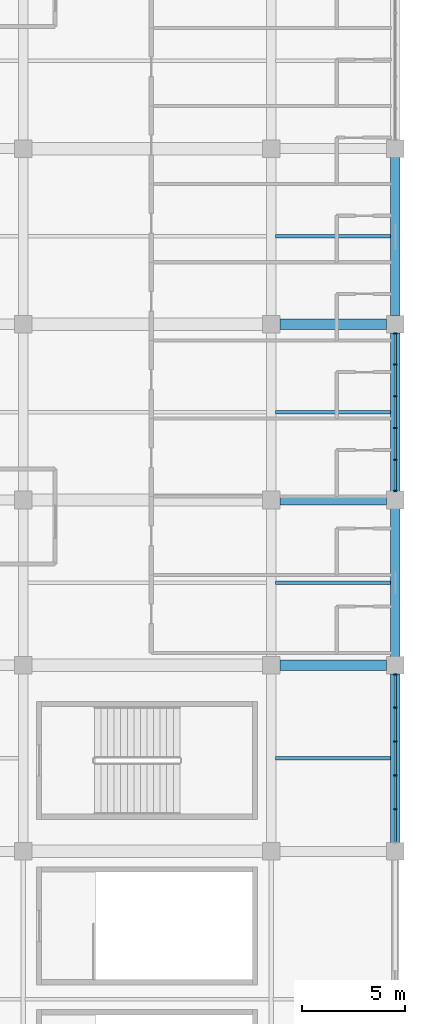
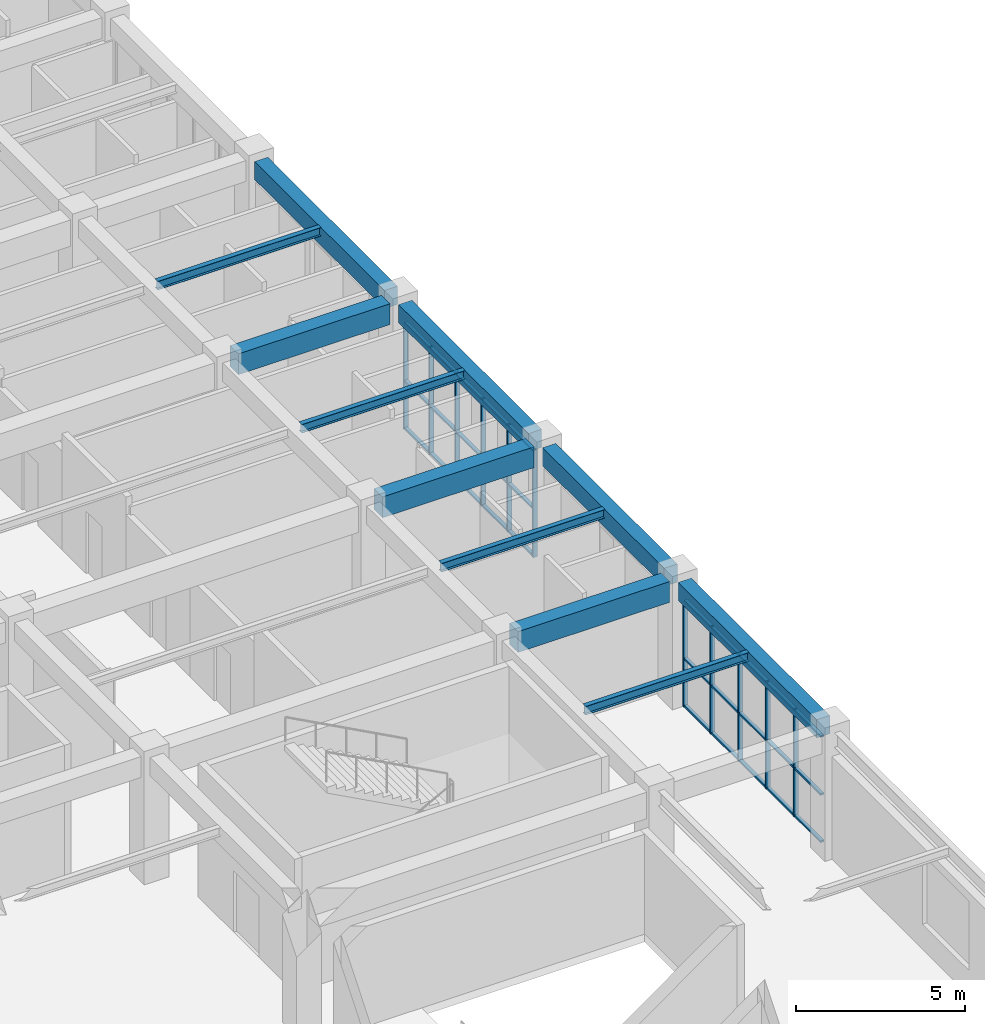
# One storey, part 67 of 122: 41 members, 11 beams, 2 elements without a shape of their own.
"""IFC4 building model written with IfcOpenShell, lengths in metres."""

from ifc_helpers import new_model, si_unit, direction, frame, origin, origin_2d, place, context, subcontext, project, spatial, rectangle, i_section, extrude, material, material_profile, profile_set, type_object, element, aggregate, save


model = new_model("IFC4")

# Units and contexts
model_context = context("Model", 3, precision=1e-05, world=origin(), true_north=direction((0.0, 1.0)))
body_context = subcontext(model_context, "Body", "Model", "MODEL_VIEW")
ifc_project = project(units=[si_unit("LENGTHUNIT", "METRE"), si_unit("AREAUNIT", "SQUARE_METRE"), si_unit("VOLUMEUNIT", "CUBIC_METRE"), si_unit("PLANEANGLEUNIT", "RADIAN"), si_unit("MASSUNIT", "GRAM", prefix="KILO")], contexts=[model_context])

# Site, building, storey
site_placement = place(None, origin())
site = spatial("IfcSite", under=ifc_project, at=site_placement, CompositionType="ELEMENT")
building_placement = place(site_placement, origin())
building = spatial("IfcBuilding", under=site, at=building_placement, Name="Cuetzalor Civic Arena", CompositionType="ELEMENT")
storey_placement = place(building_placement, frame((0.0, 0.0, 16.199951171875)))
storey = spatial("IfcBuildingStorey", under=building, at=storey_placement, Name="L03", CompositionType="ELEMENT", Elevation=16.199951171875)

# Beams
ifc_material_1 = material(Name="Concrete C40/50", Category="concrete")
ifc_material_profile_1 = material_profile(ifc_material_1, rectangle(XDim=0.5, YDim=0.75, at=origin_2d()), Name="RC 500x750")
ifc_profile_set_1 = profile_set([ifc_material_profile_1], Name="Concrete C40/50")
beam_type_1 = type_object("IfcBeamType", Name="ConcreteFrameBeam_500x750", PredefinedType="BEAM", material=ifc_profile_set_1)
for number, where, z_axis, x_axis, name in (
    (1, (76.4150390625, -25.0, 4.14501953125), (1.0, 0.0, 0.0), (0.0, 1.0, 0.0), "Frame Girder V4E-L03-X0967"),
    (2, (76.4150390625, -17.0, 4.14501953125), (1.0, 0.0, 0.0), (0.0, 1.0, 0.0), "Frame Girder V4E-L03-X0970"),
    (3, (76.4150390625, -8.5, 4.14501953125), (1.0, 0.0, 0.0), (0.0, 1.0, 0.0), "Frame Girder V4E-L03-X0973"),
):
    element("IfcBeam", number, at=place(storey_placement, frame(where, z_axis=z_axis, x_axis=x_axis)), inside=storey, type_object=beam_type_1, Name=name, PredefinedType="BEAM", context=body_context, shape_type="SweptSolid", body=[
        extrude(rectangle(XDim=0.5, YDim=0.75, at=origin_2d()), origin(), (0.0, 0.0, 1.0), 5.169921875),
    ])
ifc_material_2 = material(Name="Concrete C40/50", Category="concrete")
ifc_material_profile_2 = material_profile(ifc_material_2, rectangle(XDim=0.449951171875, YDim=0.64990234375, at=origin_2d()), Name="RC 450x650")
ifc_profile_set_2 = profile_set([ifc_material_profile_2], Name="Concrete C40/50")
beam_type_2 = type_object("IfcBeamType", Name="ConcreteTieBeam_450x650", PredefinedType="BEAM", material=ifc_profile_set_2)
beam_1_placement = place(storey_placement, frame((82.0, -33.5849609375, 4.195068359375), z_axis=(0.0, 1.0, 0.0), x_axis=(-1.0, 0.0, 0.0)))
element("IfcBeam", 4, at=beam_1_placement, inside=storey, type_object=beam_type_2, Name="Frame Girder V4E-L03-Y1021", PredefinedType="BEAM", context=body_context, shape_type="SweptSolid", body=[
    extrude(rectangle(XDim=0.449951171875, YDim=0.64990234375, at=origin_2d()), origin(), (0.0, 0.0, 1.0), 8.169921875),
])
beam_2_placement = place(storey_placement, frame((82.0, -24.5849609375, 4.195068359375), z_axis=(0.0, 1.0, 0.0), x_axis=(-1.0, 0.0, 0.0)))
element("IfcBeam", 5, at=beam_2_placement, inside=storey, type_object=beam_type_2, Name="Frame Girder V4E-L03-Y1022", PredefinedType="BEAM", context=body_context, shape_type="SweptSolid", body=[
    extrude(rectangle(XDim=0.449951171875, YDim=0.64990234375, at=origin_2d()), origin(), (0.0, 0.0, 1.0), 7.169921875),
])
for number, where, z_axis, x_axis, name in (
    (6, (82.0, -16.5849609375, 4.195068359375), (0.0, 1.0, 0.0), (-1.0, 0.0, 0.0), "Frame Girder V4E-L03-Y1023"),
    (7, (82.0, -8.0849609375, 4.195068359375), (0.0, 1.0, 0.0), (-1.0, 0.0, 0.0), "Frame Girder V4E-L03-Y1024"),
):
    element("IfcBeam", number, at=place(storey_placement, frame(where, z_axis=z_axis, x_axis=x_axis)), inside=storey, type_object=beam_type_2, Name=name, PredefinedType="BEAM", context=body_context, shape_type="SweptSolid", body=[
        extrude(rectangle(XDim=0.449951171875, YDim=0.64990234375, at=origin_2d()), origin(), (0.0, 0.0, 1.0), 7.669921875),
    ])

# Curtain wall, members
ifc_material_3 = material(Name="Anodised dark bronze aluminium and low-E solar glass", Category="aluminium")
curtain_wall_type_1 = type_object("IfcCurtainWallType", Name="UnitisedCW_8200x3850", PredefinedType="USERDEFINED", material=ifc_material_3)
curtain_wall_1_placement = place(storey_placement, origin())
curtain_wall_1 = element("IfcCurtainWall", 8, at=curtain_wall_1_placement, inside=storey, type_object=curtain_wall_type_1, Name="V4E Suite Viewing Curtain Wall L03-146", ObjectType="UNITISED CURTAIN WALL", PredefinedType="USERDEFINED")
ifc_material_4 = material(Name="Anodised dark bronze aluminium", Category="aluminium")
ifc_material_profile_3 = material_profile(ifc_material_4, rectangle(XDim=0.06494140625, YDim=0.14990234375, at=origin_2d()), Name="ALU MULLION 65x150")
ifc_profile_set_3 = profile_set([ifc_material_profile_3], Name="Anodised dark bronze aluminium")
member_type_1 = type_object("IfcMemberType", Name="CurtainWallMullion_60x150", PredefinedType="MULLION", material=ifc_profile_set_3)
member_1_placement = place(storey_placement, frame((82.0, -25.439453125, 0.0), z_axis=(0.0, 0.0, 1.0), x_axis=(0.0, -1.0, 0.0)))
member_1 = element("IfcMember", 9, at=member_1_placement, type_object=member_type_1, Name="CW-45 mullion 1", PredefinedType="MULLION", context=body_context, shape_type="SweptSolid", body=[
    extrude(rectangle(XDim=0.06494140625, YDim=0.14990234375, at=origin_2d()), origin(), (0.0, 0.0, 1.0), 3.860107421875),
])
member_2_placement = place(storey_placement, frame((82.0, -27.044189453125, 0.0), z_axis=(0.0, 0.0, 1.0), x_axis=(0.0, -1.0, 0.0)))
member_2 = element("IfcMember", 10, at=member_2_placement, type_object=member_type_1, Name="CW-45 mullion 2", PredefinedType="MULLION", context=body_context, shape_type="SweptSolid", body=[
    extrude(rectangle(XDim=0.06494140625, YDim=0.14990234375, at=origin_2d()), origin(), (0.0, 0.0, 1.0), 3.860107421875),
])
member_3_placement = place(storey_placement, frame((82.0, -28.681396484375, 0.0), z_axis=(0.0, 0.0, 1.0), x_axis=(0.0, -1.0, 0.0)))
member_3 = element("IfcMember", 11, at=member_3_placement, type_object=member_type_1, Name="CW-45 mullion 3", PredefinedType="MULLION", context=body_context, shape_type="SweptSolid", body=[
    extrude(rectangle(XDim=0.06494140625, YDim=0.14990234375, at=origin_2d()), origin(), (0.0, 0.0, 1.0), 3.860107421875),
])
member_4_placement = place(storey_placement, frame((82.0, -30.318603515625, 0.0), z_axis=(0.0, 0.0, 1.0), x_axis=(0.0, -1.0, 0.0)))
member_4 = element("IfcMember", 12, at=member_4_placement, type_object=member_type_1, Name="CW-45 mullion 4", PredefinedType="MULLION", context=body_context, shape_type="SweptSolid", body=[
    extrude(rectangle(XDim=0.06494140625, YDim=0.14990234375, at=origin_2d()), origin(), (0.0, 0.0, 1.0), 3.860107421875),
])
member_5_placement = place(storey_placement, frame((82.0, -31.955810546875, 0.0), z_axis=(0.0, 0.0, 1.0), x_axis=(0.0, -1.0, 0.0)))
member_5 = element("IfcMember", 13, at=member_5_placement, type_object=member_type_1, Name="CW-45 mullion 5", PredefinedType="MULLION", context=body_context, shape_type="SweptSolid", body=[
    extrude(rectangle(XDim=0.06494140625, YDim=0.14990234375, at=origin_2d()), origin(), (0.0, 0.0, 1.0), 3.860107421875),
])

ifc_material_5 = material(Name="Anodised dark bronze aluminium and low-E solar glass", Category="aluminium")
curtain_wall_type_2 = type_object("IfcCurtainWallType", Name="UnitisedCW_7700x3850", PredefinedType="USERDEFINED", material=ifc_material_5)
curtain_wall_2_placement = place(storey_placement, origin())
curtain_wall_2 = element("IfcCurtainWall", 14, at=curtain_wall_2_placement, inside=storey, type_object=curtain_wall_type_2, Name="V4E Suite Viewing Curtain Wall L03-147", ObjectType="UNITISED CURTAIN WALL", PredefinedType="USERDEFINED")
member_6_placement = place(storey_placement, frame((82.0, -8.939453125, 0.0), z_axis=(0.0, 0.0, 1.0), x_axis=(0.0, -1.0, 0.0)))
member_6 = element("IfcMember", 15, at=member_6_placement, type_object=member_type_1, Name="CW-42 mullion 1", PredefinedType="MULLION", context=body_context, shape_type="SweptSolid", body=[
    extrude(rectangle(XDim=0.06494140625, YDim=0.14990234375, at=origin_2d()), origin(), (0.0, 0.0, 1.0), 3.860107421875),
])
member_7_placement = place(storey_placement, frame((82.0, -10.444091796875, 0.0), z_axis=(0.0, 0.0, 1.0), x_axis=(0.0, -1.0, 0.0)))
member_7 = element("IfcMember", 16, at=member_7_placement, type_object=member_type_1, Name="CW-42 mullion 2", PredefinedType="MULLION", context=body_context, shape_type="SweptSolid", body=[
    extrude(rectangle(XDim=0.06494140625, YDim=0.14990234375, at=origin_2d()), origin(), (0.0, 0.0, 1.0), 3.860107421875),
])
member_8_placement = place(storey_placement, frame((82.0, -11.9814453125, 0.0), z_axis=(0.0, 0.0, 1.0), x_axis=(0.0, -1.0, 0.0)))
member_8 = element("IfcMember", 17, at=member_8_placement, type_object=member_type_1, Name="CW-42 mullion 3", PredefinedType="MULLION", context=body_context, shape_type="SweptSolid", body=[
    extrude(rectangle(XDim=0.06494140625, YDim=0.14990234375, at=origin_2d()), origin(), (0.0, 0.0, 1.0), 3.860107421875),
])
member_9_placement = place(storey_placement, frame((82.0, -13.5185546875, 0.0), z_axis=(0.0, 0.0, 1.0), x_axis=(0.0, -1.0, 0.0)))
member_9 = element("IfcMember", 18, at=member_9_placement, type_object=member_type_1, Name="CW-42 mullion 4", PredefinedType="MULLION", context=body_context, shape_type="SweptSolid", body=[
    extrude(rectangle(XDim=0.06494140625, YDim=0.14990234375, at=origin_2d()), origin(), (0.0, 0.0, 1.0), 3.860107421875),
])
member_10_placement = place(storey_placement, frame((82.0, -15.055908203125, 0.0), z_axis=(0.0, 0.0, 1.0), x_axis=(0.0, -1.0, 0.0)))
member_10 = element("IfcMember", 19, at=member_10_placement, type_object=member_type_1, Name="CW-42 mullion 5", PredefinedType="MULLION", context=body_context, shape_type="SweptSolid", body=[
    extrude(rectangle(XDim=0.06494140625, YDim=0.14990234375, at=origin_2d()), origin(), (0.0, 0.0, 1.0), 3.860107421875),
])
member_11_placement = place(storey_placement, frame((82.0, -16.560546875, 0.0), z_axis=(0.0, 0.0, 1.0), x_axis=(0.0, -1.0, 0.0)))
member_11 = element("IfcMember", 20, at=member_11_placement, type_object=member_type_1, Name="CW-42 mullion 6", PredefinedType="MULLION", context=body_context, shape_type="SweptSolid", body=[
    extrude(rectangle(XDim=0.06494140625, YDim=0.14990234375, at=origin_2d()), origin(), (0.0, 0.0, 1.0), 3.860107421875),
])

# Member
ifc_material_6 = material(Name="Anodised dark bronze aluminium", Category="aluminium")
ifc_material_profile_4 = material_profile(ifc_material_6, rectangle(XDim=0.1201171875, YDim=0.06494140625, at=origin_2d()), Name="ALU TRANSOM 65x120")
ifc_profile_set_4 = profile_set([ifc_material_profile_4], Name="Anodised dark bronze aluminium")
member_type_2 = type_object("IfcMemberType", Name="CurtainWallTransom_60x120", PredefinedType="USERDEFINED", material=ifc_profile_set_4)
member_12_placement = place(storey_placement, frame((82.0, -25.471923828125, 0.032470703125), z_axis=(0.0, -1.0, 0.0), x_axis=(1.0, 0.0, 0.0)))
member_12 = element("IfcMember", 21, at=member_12_placement, type_object=member_type_2, Name="CW-45 transom 1.1", ObjectType="TRANSOM", PredefinedType="USERDEFINED", context=body_context, shape_type="SweptSolid", body=[
    extrude(rectangle(XDim=0.1201171875, YDim=0.06494140625, at=origin_2d()), origin(), (0.0, 0.0, 1.0), 1.539794921875),
])

member_13_placement = place(storey_placement, frame((82.0, -25.471923828125, 1.737060546875), z_axis=(0.0, -1.0, 0.0), x_axis=(1.0, 0.0, 0.0)))
member_13 = element("IfcMember", 22, at=member_13_placement, type_object=member_type_2, Name="CW-45 transom 1.2", ObjectType="TRANSOM", PredefinedType="USERDEFINED", context=body_context, shape_type="SweptSolid", body=[
    extrude(rectangle(XDim=0.1201171875, YDim=0.06494140625, at=origin_2d()), origin(), (0.0, 0.0, 1.0), 1.539794921875),
])

member_14_placement = place(storey_placement, frame((82.0, -25.471923828125, 3.82763671875), z_axis=(0.0, -1.0, 0.0), x_axis=(1.0, 0.0, 0.0)))
member_14 = element("IfcMember", 23, at=member_14_placement, type_object=member_type_2, Name="CW-45 transom 1.3", ObjectType="TRANSOM", PredefinedType="USERDEFINED", context=body_context, shape_type="SweptSolid", body=[
    extrude(rectangle(XDim=0.1201171875, YDim=0.06494140625, at=origin_2d()), origin(), (0.0, 0.0, 1.0), 1.539794921875),
])

member_15_placement = place(storey_placement, frame((82.0, -27.07666015625, 0.032470703125), z_axis=(0.0, -1.0, 0.0), x_axis=(1.0, 0.0, 0.0)))
member_15 = element("IfcMember", 24, at=member_15_placement, type_object=member_type_2, Name="CW-45 transom 2.1", ObjectType="TRANSOM", PredefinedType="USERDEFINED", context=body_context, shape_type="SweptSolid", body=[
    extrude(rectangle(XDim=0.1201171875, YDim=0.06494140625, at=origin_2d()), origin(), (0.0, 0.0, 1.0), 1.572265625),
])

member_16_placement = place(storey_placement, frame((82.0, -27.07666015625, 1.737060546875), z_axis=(0.0, -1.0, 0.0), x_axis=(1.0, 0.0, 0.0)))
member_16 = element("IfcMember", 25, at=member_16_placement, type_object=member_type_2, Name="CW-45 transom 2.2", ObjectType="TRANSOM", PredefinedType="USERDEFINED", context=body_context, shape_type="SweptSolid", body=[
    extrude(rectangle(XDim=0.1201171875, YDim=0.06494140625, at=origin_2d()), origin(), (0.0, 0.0, 1.0), 1.572265625),
])

member_17_placement = place(storey_placement, frame((82.0, -27.07666015625, 3.82763671875), z_axis=(0.0, -1.0, 0.0), x_axis=(1.0, 0.0, 0.0)))
member_17 = element("IfcMember", 26, at=member_17_placement, type_object=member_type_2, Name="CW-45 transom 2.3", ObjectType="TRANSOM", PredefinedType="USERDEFINED", context=body_context, shape_type="SweptSolid", body=[
    extrude(rectangle(XDim=0.1201171875, YDim=0.06494140625, at=origin_2d()), origin(), (0.0, 0.0, 1.0), 1.572265625),
])

member_18_placement = place(storey_placement, frame((82.0, -28.7138671875, 0.032470703125), z_axis=(0.0, -1.0, 0.0), x_axis=(1.0, 0.0, 0.0)))
member_18 = element("IfcMember", 27, at=member_18_placement, type_object=member_type_2, Name="CW-45 transom 3.1", ObjectType="TRANSOM", PredefinedType="USERDEFINED", context=body_context, shape_type="SweptSolid", body=[
    extrude(rectangle(XDim=0.1201171875, YDim=0.06494140625, at=origin_2d()), origin(), (0.0, 0.0, 1.0), 1.572265625),
])

member_19_placement = place(storey_placement, frame((82.0, -28.7138671875, 1.737060546875), z_axis=(0.0, -1.0, 0.0), x_axis=(1.0, 0.0, 0.0)))
member_19 = element("IfcMember", 28, at=member_19_placement, type_object=member_type_2, Name="CW-45 transom 3.2", ObjectType="TRANSOM", PredefinedType="USERDEFINED", context=body_context, shape_type="SweptSolid", body=[
    extrude(rectangle(XDim=0.1201171875, YDim=0.06494140625, at=origin_2d()), origin(), (0.0, 0.0, 1.0), 1.572265625),
])

member_20_placement = place(storey_placement, frame((82.0, -28.7138671875, 3.82763671875), z_axis=(0.0, -1.0, 0.0), x_axis=(1.0, 0.0, 0.0)))
member_20 = element("IfcMember", 29, at=member_20_placement, type_object=member_type_2, Name="CW-45 transom 3.3", ObjectType="TRANSOM", PredefinedType="USERDEFINED", context=body_context, shape_type="SweptSolid", body=[
    extrude(rectangle(XDim=0.1201171875, YDim=0.06494140625, at=origin_2d()), origin(), (0.0, 0.0, 1.0), 1.572265625),
])

member_21_placement = place(storey_placement, frame((82.0, -30.35107421875, 0.032470703125), z_axis=(0.0, -1.0, 0.0), x_axis=(1.0, 0.0, 0.0)))
member_21 = element("IfcMember", 30, at=member_21_placement, type_object=member_type_2, Name="CW-45 transom 4.1", ObjectType="TRANSOM", PredefinedType="USERDEFINED", context=body_context, shape_type="SweptSolid", body=[
    extrude(rectangle(XDim=0.1201171875, YDim=0.06494140625, at=origin_2d()), origin(), (0.0, 0.0, 1.0), 1.572265625),
])

member_22_placement = place(storey_placement, frame((82.0, -30.35107421875, 1.737060546875), z_axis=(0.0, -1.0, 0.0), x_axis=(1.0, 0.0, 0.0)))
member_22 = element("IfcMember", 31, at=member_22_placement, type_object=member_type_2, Name="CW-45 transom 4.2", ObjectType="TRANSOM", PredefinedType="USERDEFINED", context=body_context, shape_type="SweptSolid", body=[
    extrude(rectangle(XDim=0.1201171875, YDim=0.06494140625, at=origin_2d()), origin(), (0.0, 0.0, 1.0), 1.572265625),
])

member_23_placement = place(storey_placement, frame((82.0, -30.35107421875, 3.82763671875), z_axis=(0.0, -1.0, 0.0), x_axis=(1.0, 0.0, 0.0)))
member_23 = element("IfcMember", 32, at=member_23_placement, type_object=member_type_2, Name="CW-45 transom 4.3", ObjectType="TRANSOM", PredefinedType="USERDEFINED", context=body_context, shape_type="SweptSolid", body=[
    extrude(rectangle(XDim=0.1201171875, YDim=0.06494140625, at=origin_2d()), origin(), (0.0, 0.0, 1.0), 1.572265625),
])

member_24_placement = place(storey_placement, frame((82.0, -31.98828125, 0.032470703125), z_axis=(0.0, -1.0, 0.0), x_axis=(1.0, 0.0, 0.0)))
member_24 = element("IfcMember", 33, at=member_24_placement, type_object=member_type_2, Name="CW-45 transom 5.1", ObjectType="TRANSOM", PredefinedType="USERDEFINED", context=body_context, shape_type="SweptSolid", body=[
    extrude(rectangle(XDim=0.1201171875, YDim=0.06494140625, at=origin_2d()), origin(), (0.0, 0.0, 1.0), 1.539794921875),
])

member_25_placement = place(storey_placement, frame((82.0, -31.98828125, 1.737060546875), z_axis=(0.0, -1.0, 0.0), x_axis=(1.0, 0.0, 0.0)))
member_25 = element("IfcMember", 34, at=member_25_placement, type_object=member_type_2, Name="CW-45 transom 5.2", ObjectType="TRANSOM", PredefinedType="USERDEFINED", context=body_context, shape_type="SweptSolid", body=[
    extrude(rectangle(XDim=0.1201171875, YDim=0.06494140625, at=origin_2d()), origin(), (0.0, 0.0, 1.0), 1.539794921875),
])

member_26_placement = place(storey_placement, frame((82.0, -31.98828125, 3.82763671875), z_axis=(0.0, -1.0, 0.0), x_axis=(1.0, 0.0, 0.0)))
member_26 = element("IfcMember", 35, at=member_26_placement, type_object=member_type_2, Name="CW-45 transom 5.3", ObjectType="TRANSOM", PredefinedType="USERDEFINED", context=body_context, shape_type="SweptSolid", body=[
    extrude(rectangle(XDim=0.1201171875, YDim=0.06494140625, at=origin_2d()), origin(), (0.0, 0.0, 1.0), 1.539794921875),
])

aggregate(curtain_wall_1, [member_1, member_2, member_3, member_4, member_5, member_12, member_13, member_14, member_15, member_16, member_17, member_18, member_19, member_20, member_21, member_22, member_23, member_24, member_25, member_26])

member_27_placement = place(storey_placement, frame((82.0, -8.971923828125, 0.032470703125), z_axis=(0.0, -1.0, 0.0), x_axis=(1.0, 0.0, 0.0)))
member_27 = element("IfcMember", 36, at=member_27_placement, type_object=member_type_2, Name="CW-42 transom 1.1", ObjectType="TRANSOM", PredefinedType="USERDEFINED", context=body_context, shape_type="SweptSolid", body=[
    extrude(rectangle(XDim=0.1201171875, YDim=0.06494140625, at=origin_2d()), origin(), (0.0, 0.0, 1.0), 1.439697265625),
])

member_28_placement = place(storey_placement, frame((82.0, -8.971923828125, 1.737060546875), z_axis=(0.0, -1.0, 0.0), x_axis=(1.0, 0.0, 0.0)))
member_28 = element("IfcMember", 37, at=member_28_placement, type_object=member_type_2, Name="CW-42 transom 1.2", ObjectType="TRANSOM", PredefinedType="USERDEFINED", context=body_context, shape_type="SweptSolid", body=[
    extrude(rectangle(XDim=0.1201171875, YDim=0.06494140625, at=origin_2d()), origin(), (0.0, 0.0, 1.0), 1.439697265625),
])

member_29_placement = place(storey_placement, frame((82.0, -8.971923828125, 3.82763671875), z_axis=(0.0, -1.0, 0.0), x_axis=(1.0, 0.0, 0.0)))
member_29 = element("IfcMember", 38, at=member_29_placement, type_object=member_type_2, Name="CW-42 transom 1.3", ObjectType="TRANSOM", PredefinedType="USERDEFINED", context=body_context, shape_type="SweptSolid", body=[
    extrude(rectangle(XDim=0.1201171875, YDim=0.06494140625, at=origin_2d()), origin(), (0.0, 0.0, 1.0), 1.439697265625),
])

member_30_placement = place(storey_placement, frame((82.0, -10.476806640625, 0.032470703125), z_axis=(0.0, -1.0, 0.0), x_axis=(1.0, 0.0, 0.0)))
member_30 = element("IfcMember", 39, at=member_30_placement, type_object=member_type_2, Name="CW-42 transom 2.1", ObjectType="TRANSOM", PredefinedType="USERDEFINED", context=body_context, shape_type="SweptSolid", body=[
    extrude(rectangle(XDim=0.1201171875, YDim=0.06494140625, at=origin_2d()), origin(), (0.0, 0.0, 1.0), 1.47216796875),
])

member_31_placement = place(storey_placement, frame((82.0, -10.476806640625, 1.737060546875), z_axis=(0.0, -1.0, 0.0), x_axis=(1.0, 0.0, 0.0)))
member_31 = element("IfcMember", 40, at=member_31_placement, type_object=member_type_2, Name="CW-42 transom 2.2", ObjectType="TRANSOM", PredefinedType="USERDEFINED", context=body_context, shape_type="SweptSolid", body=[
    extrude(rectangle(XDim=0.1201171875, YDim=0.06494140625, at=origin_2d()), origin(), (0.0, 0.0, 1.0), 1.47216796875),
])

member_32_placement = place(storey_placement, frame((82.0, -10.476806640625, 3.82763671875), z_axis=(0.0, -1.0, 0.0), x_axis=(1.0, 0.0, 0.0)))
member_32 = element("IfcMember", 41, at=member_32_placement, type_object=member_type_2, Name="CW-42 transom 2.3", ObjectType="TRANSOM", PredefinedType="USERDEFINED", context=body_context, shape_type="SweptSolid", body=[
    extrude(rectangle(XDim=0.1201171875, YDim=0.06494140625, at=origin_2d()), origin(), (0.0, 0.0, 1.0), 1.47216796875),
])

member_33_placement = place(storey_placement, frame((82.0, -12.013916015625, 0.032470703125), z_axis=(0.0, -1.0, 0.0), x_axis=(1.0, 0.0, 0.0)))
member_33 = element("IfcMember", 42, at=member_33_placement, type_object=member_type_2, Name="CW-42 transom 3.1", ObjectType="TRANSOM", PredefinedType="USERDEFINED", context=body_context, shape_type="SweptSolid", body=[
    extrude(rectangle(XDim=0.1201171875, YDim=0.06494140625, at=origin_2d()), origin(), (0.0, 0.0, 1.0), 1.47216796875),
])

member_34_placement = place(storey_placement, frame((82.0, -12.013916015625, 1.737060546875), z_axis=(0.0, -1.0, 0.0), x_axis=(1.0, 0.0, 0.0)))
member_34 = element("IfcMember", 43, at=member_34_placement, type_object=member_type_2, Name="CW-42 transom 3.2", ObjectType="TRANSOM", PredefinedType="USERDEFINED", context=body_context, shape_type="SweptSolid", body=[
    extrude(rectangle(XDim=0.1201171875, YDim=0.06494140625, at=origin_2d()), origin(), (0.0, 0.0, 1.0), 1.47216796875),
])

member_35_placement = place(storey_placement, frame((82.0, -12.013916015625, 3.82763671875), z_axis=(0.0, -1.0, 0.0), x_axis=(1.0, 0.0, 0.0)))
member_35 = element("IfcMember", 44, at=member_35_placement, type_object=member_type_2, Name="CW-42 transom 3.3", ObjectType="TRANSOM", PredefinedType="USERDEFINED", context=body_context, shape_type="SweptSolid", body=[
    extrude(rectangle(XDim=0.1201171875, YDim=0.06494140625, at=origin_2d()), origin(), (0.0, 0.0, 1.0), 1.47216796875),
])

member_36_placement = place(storey_placement, frame((82.0, -13.551025390625, 0.032470703125), z_axis=(0.0, -1.0, 0.0), x_axis=(1.0, 0.0, 0.0)))
member_36 = element("IfcMember", 45, at=member_36_placement, type_object=member_type_2, Name="CW-42 transom 4.1", ObjectType="TRANSOM", PredefinedType="USERDEFINED", context=body_context, shape_type="SweptSolid", body=[
    extrude(rectangle(XDim=0.1201171875, YDim=0.06494140625, at=origin_2d()), origin(), (0.0, 0.0, 1.0), 1.47216796875),
])

member_37_placement = place(storey_placement, frame((82.0, -13.551025390625, 1.737060546875), z_axis=(0.0, -1.0, 0.0), x_axis=(1.0, 0.0, 0.0)))
member_37 = element("IfcMember", 46, at=member_37_placement, type_object=member_type_2, Name="CW-42 transom 4.2", ObjectType="TRANSOM", PredefinedType="USERDEFINED", context=body_context, shape_type="SweptSolid", body=[
    extrude(rectangle(XDim=0.1201171875, YDim=0.06494140625, at=origin_2d()), origin(), (0.0, 0.0, 1.0), 1.47216796875),
])

member_38_placement = place(storey_placement, frame((82.0, -13.551025390625, 3.82763671875), z_axis=(0.0, -1.0, 0.0), x_axis=(1.0, 0.0, 0.0)))
member_38 = element("IfcMember", 47, at=member_38_placement, type_object=member_type_2, Name="CW-42 transom 4.3", ObjectType="TRANSOM", PredefinedType="USERDEFINED", context=body_context, shape_type="SweptSolid", body=[
    extrude(rectangle(XDim=0.1201171875, YDim=0.06494140625, at=origin_2d()), origin(), (0.0, 0.0, 1.0), 1.47216796875),
])

member_39_placement = place(storey_placement, frame((82.0, -15.08837890625, 0.032470703125), z_axis=(0.0, -1.0, 0.0), x_axis=(1.0, 0.0, 0.0)))
member_39 = element("IfcMember", 48, at=member_39_placement, type_object=member_type_2, Name="CW-42 transom 5.1", ObjectType="TRANSOM", PredefinedType="USERDEFINED", context=body_context, shape_type="SweptSolid", body=[
    extrude(rectangle(XDim=0.1201171875, YDim=0.06494140625, at=origin_2d()), origin(), (0.0, 0.0, 1.0), 1.439697265625),
])

member_40_placement = place(storey_placement, frame((82.0, -15.08837890625, 1.737060546875), z_axis=(0.0, -1.0, 0.0), x_axis=(1.0, 0.0, 0.0)))
member_40 = element("IfcMember", 49, at=member_40_placement, type_object=member_type_2, Name="CW-42 transom 5.2", ObjectType="TRANSOM", PredefinedType="USERDEFINED", context=body_context, shape_type="SweptSolid", body=[
    extrude(rectangle(XDim=0.1201171875, YDim=0.06494140625, at=origin_2d()), origin(), (0.0, 0.0, 1.0), 1.439697265625),
])

member_41_placement = place(storey_placement, frame((82.0, -15.08837890625, 3.82763671875), z_axis=(0.0, -1.0, 0.0), x_axis=(1.0, 0.0, 0.0)))
member_41 = element("IfcMember", 50, at=member_41_placement, type_object=member_type_2, Name="CW-42 transom 5.3", ObjectType="TRANSOM", PredefinedType="USERDEFINED", context=body_context, shape_type="SweptSolid", body=[
    extrude(rectangle(XDim=0.1201171875, YDim=0.06494140625, at=origin_2d()), origin(), (0.0, 0.0, 1.0), 1.439697265625),
])

aggregate(curtain_wall_2, [member_6, member_7, member_8, member_9, member_10, member_11, member_27, member_28, member_29, member_30, member_31, member_32, member_33, member_34, member_35, member_36, member_37, member_38, member_39, member_40, member_41])

# Beams
ifc_material_7 = material(Name="Steel S355", Category="steel")
ifc_material_profile_5 = material_profile(ifc_material_7, i_section(OverallWidth=0.166015625, OverallDepth=0.31298828125, WebThickness=0.006591796875, FlangeThickness=0.01123046875, at=origin_2d()), Name="W310x45")
ifc_profile_set_5 = profile_set([ifc_material_profile_5], Name="Steel S355")
beam_type_3 = type_object("IfcBeamType", Name="SecondaryRoofJoist_W310", PredefinedType="JOIST", material=ifc_profile_set_5)
for number, where, z_axis, x_axis, name in (
    (51, (76.217041015625, -29.5, 4.363525390625), (1.0, 0.0, 0.0), (0.0, 1.0, 0.0), "Secondary Floor Joist V4E-L03-0311"),
    (52, (76.217041015625, -21.0, 4.363525390625), (1.0, 0.0, 0.0), (0.0, 1.0, 0.0), "Secondary Floor Joist V4E-L03-0312"),
    (53, (76.217041015625, -12.75, 4.363525390625), (1.0, 0.0, 0.0), (0.0, 1.0, 0.0), "Secondary Floor Joist V4E-L03-0313"),
    (54, (76.217041015625, -4.25, 4.363525390625), (1.0, 0.0, 0.0), (0.0, 1.0, 0.0), "Secondary Floor Joist V4E-L03-0314"),
):
    element("IfcBeam", number, at=place(storey_placement, frame(where, z_axis=z_axis, x_axis=x_axis)), inside=storey, type_object=beam_type_3, Name=name, PredefinedType="JOIST", context=body_context, shape_type="SweptSolid", body=[
        extrude(i_section(OverallWidth=0.166015625, OverallDepth=0.31298828125, WebThickness=0.006591796875, FlangeThickness=0.01123046875, at=origin_2d()), origin(), (0.0, 0.0, 1.0), 5.56591796875),
    ])

save(model, "model.ifc")
